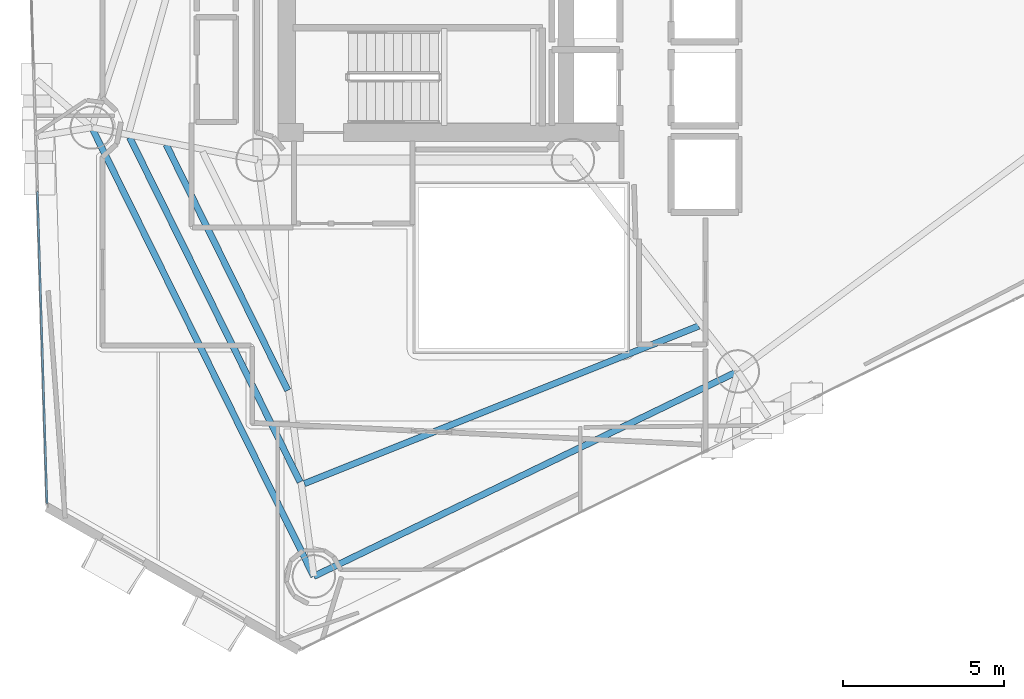
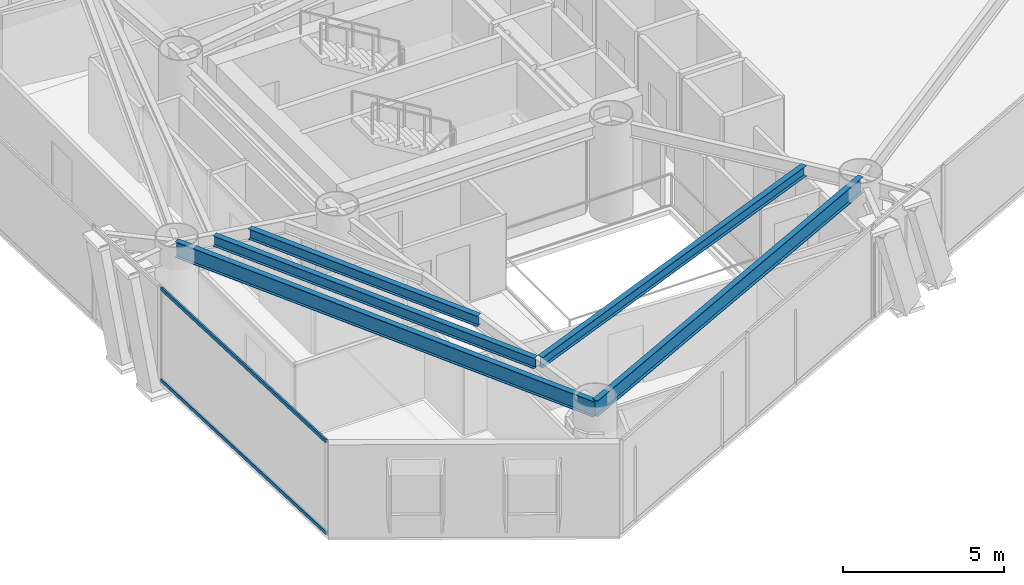
# One storey, part 3 of 22: 5 beams, 2 members, 1 element without a shape of its own.
"""IFC4 building model written with IfcOpenShell, lengths in metres."""

from ifc_helpers import new_model, si_unit, direction, frame, origin, origin_2d, place, context, subcontext, project, spatial, hollow_rectangle, i_section, extrude, material, layer, layer_set, material_profile, profile_set, type_object, element, aggregate, save


model = new_model("IFC4")

# Units and contexts
model_context = context("Model", 3, precision=1e-05, world=origin(), true_north=direction((0.0, 1.0)))
body_context = subcontext(model_context, "Body", "Model", "MODEL_VIEW")
ifc_project = project(units=[si_unit("LENGTHUNIT", "METRE"), si_unit("AREAUNIT", "SQUARE_METRE"), si_unit("VOLUMEUNIT", "CUBIC_METRE"), si_unit("PLANEANGLEUNIT", "RADIAN"), si_unit("MASSUNIT", "GRAM", prefix="KILO")], contexts=[model_context])

# Site, building, storey
site_placement = place(None, origin())
site = spatial("IfcSite", under=ifc_project, at=site_placement, CompositionType="ELEMENT")
building_placement = place(site_placement, origin())
building = spatial("IfcBuilding", under=site, at=building_placement, Name="Qianvela Tower", CompositionType="ELEMENT")
storey_placement = place(building_placement, frame((0.0, 0.0, 158.699951171875)))
storey = spatial("IfcBuildingStorey", under=building, at=storey_placement, Name="L40", CompositionType="ELEMENT", Elevation=158.699951171875)

# Beams
ifc_material_1 = material(Name="Steel Q355B", Category="steel")
ifc_material_profile_1 = material_profile(ifc_material_1, i_section(OverallWidth=0.199951171875, OverallDepth=0.39990234375, WebThickness=0.008056640625, FlangeThickness=0.012939453125, at=origin_2d()), Name="HN400x200x8x13")
ifc_profile_set_1 = profile_set([ifc_material_profile_1], Name="Steel Q355B")
beam_type_1 = type_object("IfcBeamType", Name="BM-HN400-JOIST", PredefinedType="JOIST", material=ifc_profile_set_1)
beam_1_placement = place(storey_placement, frame((25.75634765625, 24.3291015625, 3.318115234375), z_axis=(0.443417285282, -0.896315296708, 0.0), x_axis=(0.896315296708, 0.443417285282, 0.0)))
element("IfcBeam", 1, at=beam_1_placement, inside=storey, type_object=beam_type_1, Name="L40 Secondary Composite Floor Joist 4.2", PredefinedType="JOIST", context=body_context, shape_type="SweptSolid", body=[
    extrude(i_section(OverallWidth=0.199951171875, OverallDepth=0.39990234375, WebThickness=0.008056640625, FlangeThickness=0.012939453125, at=origin_2d()), origin(), (0.0, 0.0, 1.0), 8.523681640625),
])
beam_2_placement = place(storey_placement, frame((24.622314453125, 24.551025390625, 3.318115234375), z_axis=(0.443417031377, -0.896315422318, 0.0), x_axis=(0.896315422318, 0.443417031377, 0.0)))
element("IfcBeam", 2, at=beam_2_placement, inside=storey, type_object=beam_type_1, Name="L40 Secondary Composite Floor Joist 4.3", PredefinedType="JOIST", context=body_context, shape_type="SweptSolid", body=[
    extrude(i_section(OverallWidth=0.199951171875, OverallDepth=0.39990234375, WebThickness=0.008056640625, FlangeThickness=0.012939453125, at=origin_2d()), origin(), (0.0, 0.0, 1.0), 11.94775390625),
])
beam_3_placement = place(storey_placement, frame((30.0517578125, 13.79150390625, 3.318115234375), z_axis=(0.928611849806, 0.371052600584, 0.0), x_axis=(-0.371052600584, 0.928611849806, 0.0)))
element("IfcBeam", 3, at=beam_3_placement, inside=storey, type_object=beam_type_1, Name="L40 Secondary Composite Floor Joist 5.3", PredefinedType="JOIST", context=body_context, shape_type="SweptSolid", body=[
    extrude(i_section(OverallWidth=0.199951171875, OverallDepth=0.39990234375, WebThickness=0.008056640625, FlangeThickness=0.012939453125, at=origin_2d()), origin(), (0.0, 0.0, 1.0), 13.19873046875),
])
ifc_material_2 = material(Name="Steel Q355B", Category="steel")
ifc_material_profile_2 = material_profile(ifc_material_2, i_section(OverallWidth=0.199951171875, OverallDepth=0.60009765625, WebThickness=0.010986328125, FlangeThickness=0.01708984375, at=origin_2d()), Name="HN600x200x11x17")
ifc_profile_set_2 = profile_set([ifc_material_profile_2], Name="Steel Q355B")
beam_type_2 = type_object("IfcBeamType", Name="BM-HN600-GIRD", PredefinedType="BEAM", material=ifc_profile_set_2)
beam_4_placement = place(storey_placement, frame((23.446044921875, 24.85888671875, 3.218017578125), z_axis=(0.443400805375, -0.896323449315, 0.0), x_axis=(0.896323449315, 0.443400805375, 0.0)))
element("IfcBeam", 4, at=beam_4_placement, inside=storey, type_object=beam_type_2, Name="L40 Perimeter Ring Spandrel Girder 4", PredefinedType="BEAM", context=body_context, shape_type="SweptSolid", body=[
    extrude(i_section(OverallWidth=0.199951171875, OverallDepth=0.60009765625, WebThickness=0.010986328125, FlangeThickness=0.01708984375, at=origin_2d()), origin(), (0.0, 0.0, 1.0), 15.5634765625),
])
beam_5_placement = place(storey_placement, frame((30.346923828125, 10.908935546875, 3.218017578125), z_axis=(0.900328583727, 0.435210801019, 0.0), x_axis=(-0.435210801019, 0.900328583727, 0.0)))
element("IfcBeam", 5, at=beam_5_placement, inside=storey, type_object=beam_type_2, Name="L40 Perimeter Ring Spandrel Girder 5", PredefinedType="BEAM", context=body_context, shape_type="SweptSolid", body=[
    extrude(i_section(OverallWidth=0.199951171875, OverallDepth=0.60009765625, WebThickness=0.010986328125, FlangeThickness=0.01708984375, at=origin_2d()), origin(), (0.0, 0.0, 1.0), 14.636962890625),
])

# Curtain wall, members
ifc_material_3 = material(Name="Anodised Architectural Aluminium and Low-E Glass", Category="aluminium")
ifc_layer = layer(ifc_material_3, 0.169921875)
ifc_layer_set = layer_set([ifc_layer], Name="Anodised Architectural Aluminium and Low-E Glass")
curtain_wall_type = type_object("IfcCurtainWallType", Name="CW-COLIV-Z34", PredefinedType="USERDEFINED", material=ifc_layer_set)
curtain_wall_placement = place(storey_placement, origin())
curtain_wall = element("IfcCurtainWall", 6, at=curtain_wall_placement, inside=storey, type_object=curtain_wall_type, Name="L40 CW-COLIV-Z34 Curtain Wall 04C", ObjectType="CURTAIN_WALL_SYSTEM", PredefinedType="USERDEFINED")
ifc_material_4 = material(Name="Anodised Architectural Aluminium 6063-T6", Category="aluminium")
ifc_material_profile_3 = material_profile(ifc_material_4, hollow_rectangle(XDim=0.06494140625, YDim=0.1298828125, WallThickness=0.00439453125, at=origin_2d()), Name="ALU-TRAN-65x130")
ifc_profile_set_3 = profile_set([ifc_material_profile_3], Name="Anodised Architectural Aluminium 6063-T6")
member_type = type_object("IfcMemberType", Name="CW-COLIV-Z34-TRAN", PredefinedType="USERDEFINED", material=ifc_profile_set_3)
member_1_placement = place(storey_placement, frame((21.7548828125, 22.87353515625, 0.032470703125), z_axis=(0.030709446664, -0.999528353718, 0.0), x_axis=(0.999528353718, 0.030709446664, 0.0)))
member_1 = element("IfcMember", 7, at=member_1_placement, type_object=member_type, Name="CW-4 transom 1.1", ObjectType="TRANSOM", PredefinedType="USERDEFINED", context=body_context, shape_type="SweptSolid", body=[
    extrude(hollow_rectangle(XDim=0.06494140625, YDim=0.1298828125, WallThickness=0.00439453125, at=origin_2d()), origin(), (0.0, 0.0, 1.0), 9.70703125),
])
member_2_placement = place(storey_placement, frame((21.7548828125, 22.87353515625, 3.487548828125), z_axis=(0.030709446664, -0.999528353718, 0.0), x_axis=(0.999528353718, 0.030709446664, 0.0)))
member_2 = element("IfcMember", 8, at=member_2_placement, type_object=member_type, Name="CW-4 transom 1.2", ObjectType="TRANSOM", PredefinedType="USERDEFINED", context=body_context, shape_type="SweptSolid", body=[
    extrude(hollow_rectangle(XDim=0.06494140625, YDim=0.1298828125, WallThickness=0.00439453125, at=origin_2d()), origin(), (0.0, 0.0, 1.0), 9.70703125),
])
aggregate(curtain_wall, [member_1, member_2])

save(model, "model.ifc")
